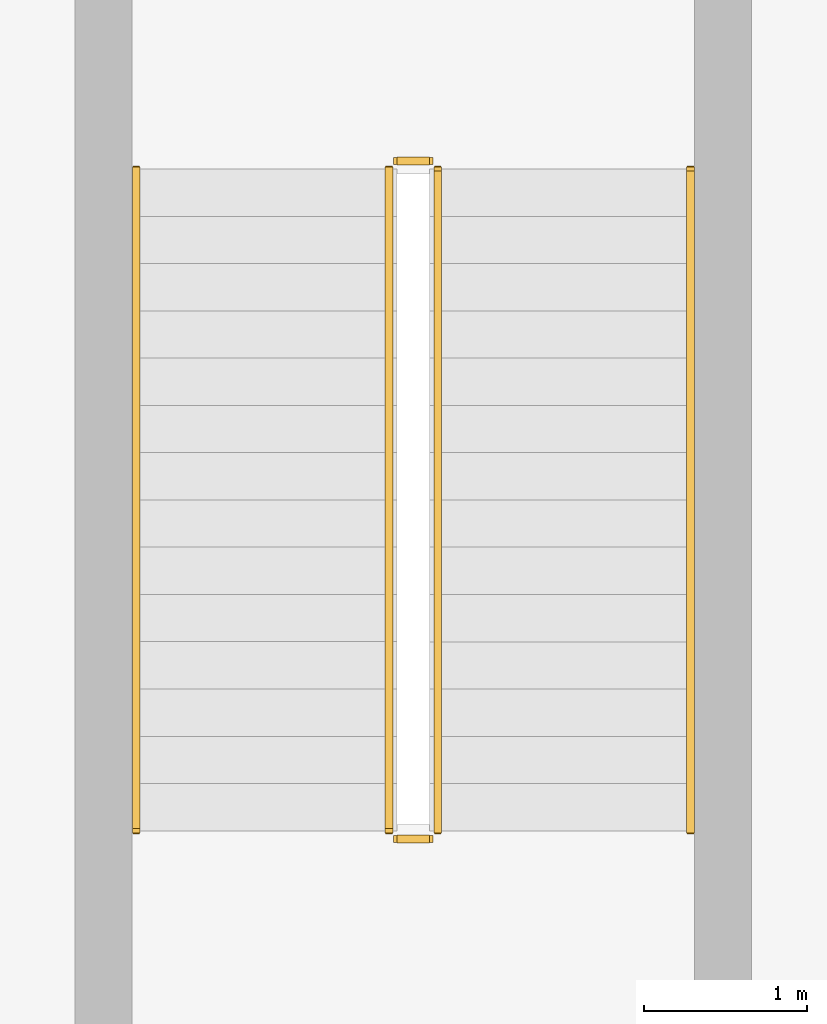
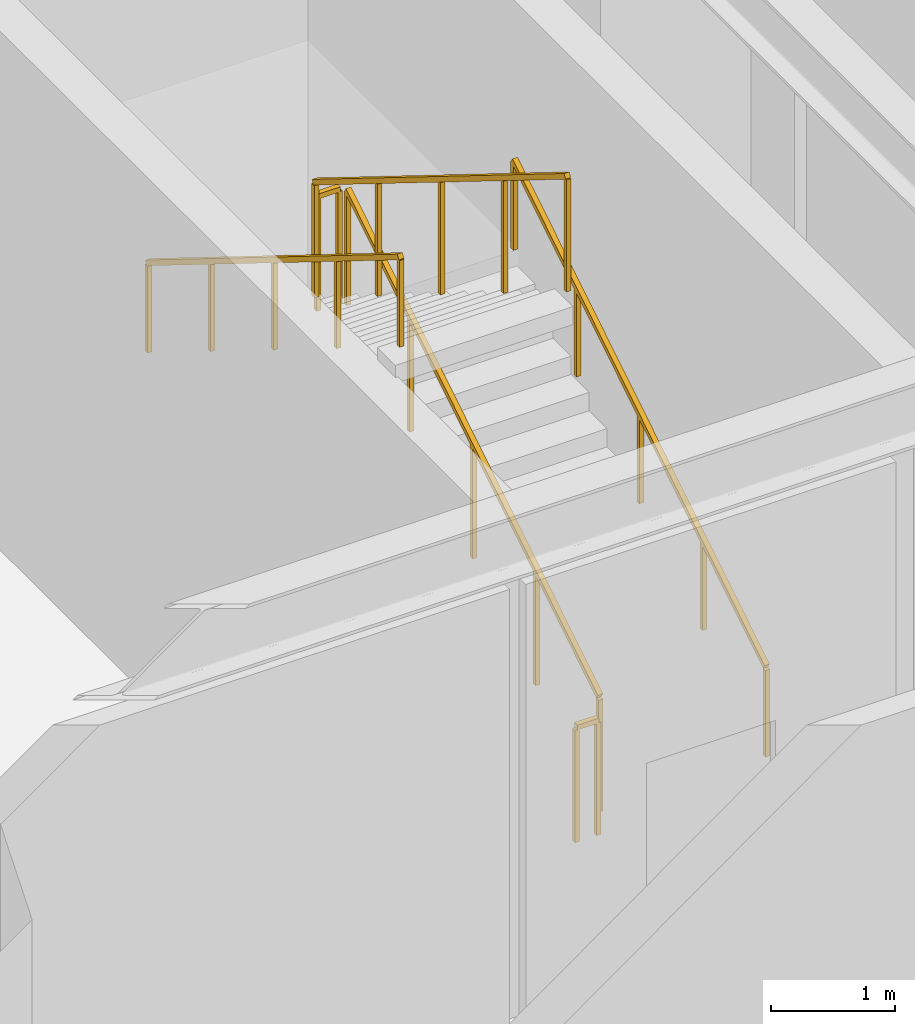
# One storey, part 32 of 32: 6 railings.
"""IFC4 building model written with IfcOpenShell, lengths in metres."""

from ifc_helpers import new_model, si_unit, direction, frame, origin, origin_2d, place, context, subcontext, project, spatial, rectangle, extrude, material, type_object, element, save


model = new_model("IFC4")

# Units and contexts
model_context = context("Model", 3, precision=1e-05, world=origin(), true_north=direction((0.0, 1.0)))
body_context = subcontext(model_context, "Body", "Model", "MODEL_VIEW")
ifc_project = project(units=[si_unit("LENGTHUNIT", "METRE"), si_unit("AREAUNIT", "SQUARE_METRE"), si_unit("VOLUMEUNIT", "CUBIC_METRE"), si_unit("PLANEANGLEUNIT", "RADIAN"), si_unit("MASSUNIT", "GRAM", prefix="KILO")], contexts=[model_context])

# Site, building, storey
site_placement = place(None, origin())
site = spatial("IfcSite", under=ifc_project, at=site_placement, CompositionType="ELEMENT")
building_placement = place(site_placement, origin())
building = spatial("IfcBuilding", under=site, at=building_placement, Name="Sarneth Arch Tower", CompositionType="ELEMENT")
storey_placement = place(building_placement, frame((0.0, 0.0, 11.39990234375)))
storey = spatial("IfcBuildingStorey", under=building, at=storey_placement, Name="L02", CompositionType="ELEMENT", Elevation=11.39990234375)

# Railings
ifc_material_1 = material(Name="Brushed Stainless Steel 304 tubular handrail", Category="steel")
railing_type_1 = type_object("IfcRailingType", Name="RAIL-HANDRAIL-900", PredefinedType="HANDRAIL", material=ifc_material_1)
railing_1_placement = place(storey_placement, frame((84.85009765625, 65.800048828125, 0.18017578125)))
element("IfcRailing", 1, at=railing_1_placement, inside=storey, type_object=railing_type_1, Name="L02 ST-P2 stair handrail 1", PredefinedType="HANDRAIL", context=body_context, shape_type="SweptSolid", body=[
    extrude(rectangle(XDim=0.048095703125, YDim=0.048095703125, at=origin_2d()), frame((0.0, 0.0, 0.8759765625), z_axis=(0.0, 0.849641744969, 0.527360318194), x_axis=(-1.0, 0.0, 0.0)), (0.0, 0.0, 1.0), 4.778564453125),
    extrude(rectangle(XDim=0.0419921875, YDim=0.0419921875, at=origin_2d()), origin(), (0.0, 0.0, 1.0), 0.851806640625),
    extrude(rectangle(XDim=0.0419921875, YDim=0.0419921875, at=origin_2d()), frame((0.0, 1.01513671875, 0.6298828125)), (0.0, 0.0, 1.0), 0.851806640625),
    extrude(rectangle(XDim=0.0419921875, YDim=0.0419921875, at=origin_2d()), frame((0.0, 2.030029296875, 1.260009765625)), (0.0, 0.0, 1.0), 0.851806640625),
    extrude(rectangle(XDim=0.0419921875, YDim=0.0419921875, at=origin_2d()), frame((0.0, 3.044921875, 1.89013671875)), (0.0, 0.0, 1.0), 0.851806640625),
    extrude(rectangle(XDim=0.0419921875, YDim=0.0419921875, at=origin_2d()), frame((0.0, 4.06005859375, 2.52001953125)), (0.0, 0.0, 1.0), 0.851806640625),
])
railing_2_placement = place(storey_placement, frame((81.449951171875, 69.860107421875, 2.880126953125)))
element("IfcRailing", 2, at=railing_2_placement, inside=storey, type_object=railing_type_1, Name="L02 ST-P2 stair handrail 2", PredefinedType="HANDRAIL", context=body_context, shape_type="SweptSolid", body=[
    extrude(rectangle(XDim=0.048095703125, YDim=0.048095703125, at=origin_2d()), frame((0.0, 0.0, 0.8759765625), z_axis=(0.0, -0.849641744969, 0.527360318194), x_axis=(1.0, 0.0, 0.0)), (0.0, 0.0, 1.0), 4.778564453125),
    extrude(rectangle(XDim=0.0419921875, YDim=0.0419921875, at=origin_2d()), origin(), (0.0, 0.0, 1.0), 0.851806640625),
    extrude(rectangle(XDim=0.0419921875, YDim=0.0419921875, at=origin_2d()), frame((0.0, -1.01513671875, 0.6298828125)), (0.0, 0.0, 1.0), 0.851806640625),
    extrude(rectangle(XDim=0.0419921875, YDim=0.0419921875, at=origin_2d()), frame((0.0, -2.030029296875, 1.260009765625)), (0.0, 0.0, 1.0), 0.851806640625),
    extrude(rectangle(XDim=0.0419921875, YDim=0.0419921875, at=origin_2d()), frame((0.0, -3.044921875, 1.89013671875)), (0.0, 0.0, 1.0), 0.851806640625),
    extrude(rectangle(XDim=0.0419921875, YDim=0.0419921875, at=origin_2d()), frame((0.0, -4.06005859375, 2.52001953125)), (0.0, 0.0, 1.0), 0.851806640625),
])
ifc_material_2 = material(Name="Painted Steel S275 stair well guard", Category="steel")
railing_type_2 = type_object("IfcRailingType", Name="RAIL-STAIR-GUARD", PredefinedType="GUARDRAIL", material=ifc_material_2)
railing_3_placement = place(storey_placement, frame((83.300048828125, 65.800048828125, 0.18017578125)))
element("IfcRailing", 3, at=railing_3_placement, inside=storey, type_object=railing_type_2, Name="L02 ST-P2 stair guard 1", PredefinedType="GUARDRAIL", context=body_context, shape_type="SweptSolid", body=[
    extrude(rectangle(XDim=0.048095703125, YDim=0.048095703125, at=origin_2d()), frame((0.0, 0.0, 1.1259765625), z_axis=(0.0, 0.849641744969, 0.527360318194), x_axis=(-1.0, 0.0, 0.0)), (0.0, 0.0, 1.0), 4.778564453125),
    extrude(rectangle(XDim=0.0419921875, YDim=0.0419921875, at=origin_2d()), origin(), (0.0, 0.0, 1.0), 1.101806640625),
    extrude(rectangle(XDim=0.0419921875, YDim=0.0419921875, at=origin_2d()), frame((0.0, 1.01513671875, 0.6298828125)), (0.0, 0.0, 1.0), 1.101806640625),
    extrude(rectangle(XDim=0.0419921875, YDim=0.0419921875, at=origin_2d()), frame((0.0, 2.030029296875, 1.260009765625)), (0.0, 0.0, 1.0), 1.101806640625),
    extrude(rectangle(XDim=0.0419921875, YDim=0.0419921875, at=origin_2d()), frame((0.0, 3.044921875, 1.89013671875)), (0.0, 0.0, 1.0), 1.101806640625),
    extrude(rectangle(XDim=0.0419921875, YDim=0.0419921875, at=origin_2d()), frame((0.0, 4.06005859375, 2.52001953125)), (0.0, 0.0, 1.0), 1.101806640625),
])
railing_4_placement = place(storey_placement, frame((83.25, 69.909912109375, 2.7001953125)))
element("IfcRailing", 4, at=railing_4_placement, inside=storey, type_object=railing_type_2, Name="L02 ST-P2 stair guard 2", PredefinedType="GUARDRAIL", context=body_context, shape_type="SweptSolid", body=[
    extrude(rectangle(XDim=0.048095703125, YDim=0.048095703125, at=origin_2d()), frame((0.0, 0.0, 1.1259765625), z_axis=(-1.0, 0.0, 0.0), x_axis=(0.0, -1.0, 0.0)), (0.0, 0.0, 1.0), 0.199951171875),
    extrude(rectangle(XDim=0.0419921875, YDim=0.0419921875, at=origin_2d()), origin(), (0.0, 0.0, 1.0), 1.101806640625),
    extrude(rectangle(XDim=0.0419921875, YDim=0.0419921875, at=origin_2d()), frame((-0.199951171875, 0.0, 0.0)), (0.0, 0.0, 1.0), 1.101806640625),
])
railing_5_placement = place(storey_placement, frame((83.0, 69.860107421875, 2.880126953125)))
element("IfcRailing", 5, at=railing_5_placement, inside=storey, type_object=railing_type_2, Name="L02 ST-P2 stair guard 3", PredefinedType="GUARDRAIL", context=body_context, shape_type="SweptSolid", body=[
    extrude(rectangle(XDim=0.048095703125, YDim=0.048095703125, at=origin_2d()), frame((0.0, 0.0, 1.1259765625), z_axis=(0.0, -0.849641744969, 0.527360318194), x_axis=(1.0, 0.0, 0.0)), (0.0, 0.0, 1.0), 4.778564453125),
    extrude(rectangle(XDim=0.0419921875, YDim=0.0419921875, at=origin_2d()), origin(), (0.0, 0.0, 1.0), 1.101806640625),
    extrude(rectangle(XDim=0.0419921875, YDim=0.0419921875, at=origin_2d()), frame((0.0, -1.01513671875, 0.6298828125)), (0.0, 0.0, 1.0), 1.101806640625),
    extrude(rectangle(XDim=0.0419921875, YDim=0.0419921875, at=origin_2d()), frame((0.0, -2.030029296875, 1.260009765625)), (0.0, 0.0, 1.0), 1.101806640625),
    extrude(rectangle(XDim=0.0419921875, YDim=0.0419921875, at=origin_2d()), frame((0.0, -3.044921875, 1.89013671875)), (0.0, 0.0, 1.0), 1.101806640625),
    extrude(rectangle(XDim=0.0419921875, YDim=0.0419921875, at=origin_2d()), frame((0.0, -4.06005859375, 2.52001953125)), (0.0, 0.0, 1.0), 1.101806640625),
])
railing_6_placement = place(storey_placement, frame((83.25, 65.75, 0.0)))
element("IfcRailing", 6, at=railing_6_placement, inside=storey, type_object=railing_type_2, Name="L02 ST-P2 stair guard 4", PredefinedType="GUARDRAIL", context=body_context, shape_type="SweptSolid", body=[
    extrude(rectangle(XDim=0.048095703125, YDim=0.048095703125, at=origin_2d()), frame((0.0, 0.0, 1.1259765625), z_axis=(-1.0, 0.0, 0.0), x_axis=(0.0, -1.0, 0.0)), (0.0, 0.0, 1.0), 0.199951171875),
    extrude(rectangle(XDim=0.0419921875, YDim=0.0419921875, at=origin_2d()), origin(), (0.0, 0.0, 1.0), 1.101806640625),
    extrude(rectangle(XDim=0.0419921875, YDim=0.0419921875, at=origin_2d()), frame((-0.199951171875, 0.0, 0.0)), (0.0, 0.0, 1.0), 1.101806640625),
])

save(model, "model.ifc")
